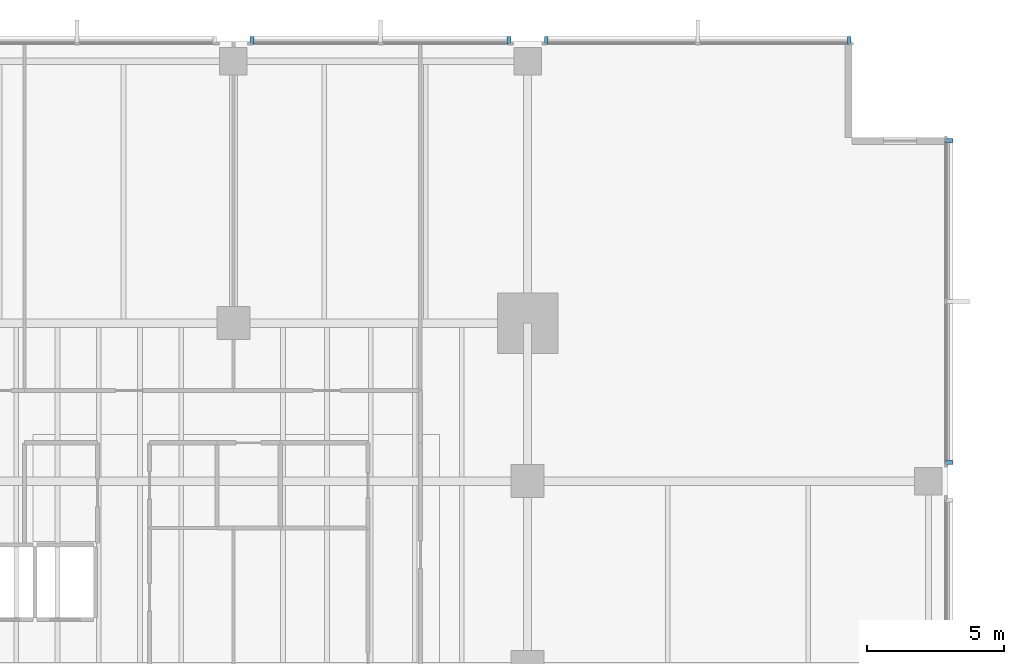
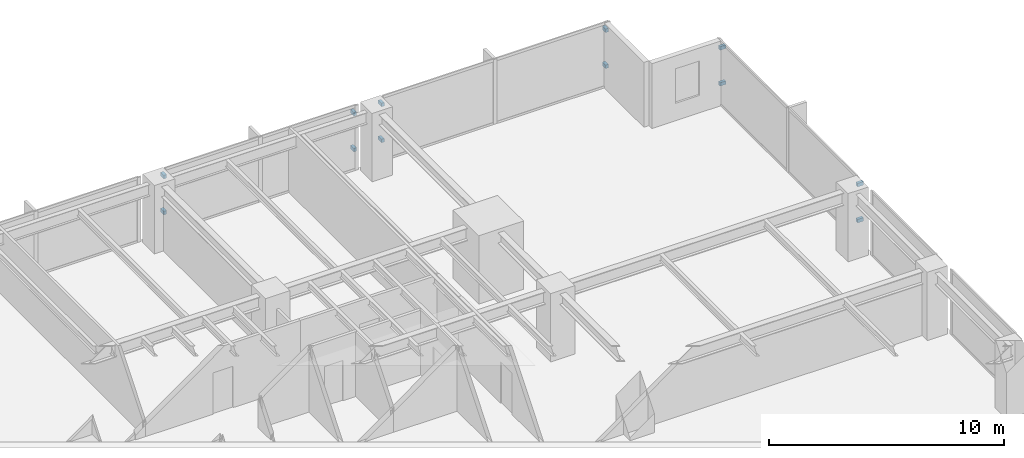
# One storey, part 11 of 15: 12 discrete accessories.
"""IFC4 building model written with IfcOpenShell, lengths in metres."""

from ifc_helpers import new_model, si_unit, direction, frame, origin, origin_2d, place, context, subcontext, project, spatial, rectangle, extrude, material, type_object, element, save


model = new_model("IFC4")

# Units and contexts
model_context = context("Model", 3, precision=1e-05, world=origin(), true_north=direction((0.0, 1.0)))
body_context = subcontext(model_context, "Body", "Model", "MODEL_VIEW")
ifc_project = project(units=[si_unit("LENGTHUNIT", "METRE"), si_unit("AREAUNIT", "SQUARE_METRE"), si_unit("VOLUMEUNIT", "CUBIC_METRE"), si_unit("PLANEANGLEUNIT", "RADIAN"), si_unit("MASSUNIT", "GRAM", prefix="KILO")], contexts=[model_context])

# Site, building, storey
site_placement = place(None, origin())
site = spatial("IfcSite", under=ifc_project, at=site_placement, CompositionType="ELEMENT")
building_placement = place(site_placement, origin())
building = spatial("IfcBuilding", under=site, at=building_placement, Name="Kinhvarn Gate Tower", CompositionType="ELEMENT")
storey_placement = place(building_placement, frame((0.0, 0.0, 43.35009765625)))
storey = spatial("IfcBuildingStorey", under=building, at=storey_placement, Name="L10", CompositionType="ELEMENT", Elevation=43.35009765625)

# Discrete accessories
ifc_material = material(Name="Anodised aluminium AW-6063", Category="aluminium")
discrete_accessory_type = type_object("IfcDiscreteAccessoryType", Name="ACC-BRK-01", PredefinedType="BRACKET", material=ifc_material)
for number, where, z_axis, x_axis, name in (
    (1, (49.89990234375, 48.0400390625, 0.9599609375), (0.0, 0.0, 1.0), (-1.0, 0.0, 0.0), "Baguette Support Bracket BK-01 (L10)"),
    (2, (49.89990234375, 48.0400390625, 2.830078125), (0.0, 0.0, 1.0), (-1.0, 0.0, 0.0), "Baguette Support Bracket BK-01 (L10)"),
    (3, (38.8798828125, 48.0400390625, 0.9599609375), (0.0, 0.0, 1.0), (-1.0, 0.0, 0.0), "Baguette Support Bracket BK-01 (L10)"),
    (4, (38.8798828125, 48.0400390625, 2.830078125), (0.0, 0.0, 1.0), (-1.0, 0.0, 0.0), "Baguette Support Bracket BK-01 (L10)"),
    (5, (37.52001953125, 48.0400390625, 0.9599609375), (0.0, 0.0, 1.0), (-1.0, 0.0, 0.0), "Baguette Support Bracket BK-01 (L10)"),
    (6, (37.52001953125, 48.0400390625, 2.830078125), (0.0, 0.0, 1.0), (-1.0, 0.0, 0.0), "Baguette Support Bracket BK-01 (L10)"),
    (7, (28.179931640625, 48.0400390625, 0.9599609375), (0.0, 0.0, 1.0), (-1.0, 0.0, 0.0), "Baguette Support Bracket BK-01 (L10)"),
    (8, (28.179931640625, 48.0400390625, 2.830078125), (0.0, 0.0, 1.0), (-1.0, 0.0, 0.0), "Baguette Support Bracket BK-01 (L10)"),
    (9, (53.5400390625, 32.679931640625, 0.9599609375), (0.0, 0.0, 1.0), (0.0, 1.0, 0.0), "Baguette Support Bracket BK-01 (L10)"),
    (10, (53.5400390625, 32.679931640625, 2.830078125), (0.0, 0.0, 1.0), (0.0, 1.0, 0.0), "Baguette Support Bracket BK-01 (L10)"),
    (11, (53.5400390625, 44.39990234375, 0.9599609375), (0.0, 0.0, 1.0), (0.0, 1.0, 0.0), "Baguette Support Bracket BK-01 (L10)"),
    (12, (53.5400390625, 44.39990234375, 2.830078125), (0.0, 0.0, 1.0), (0.0, 1.0, 0.0), "Baguette Support Bracket BK-01 (L10)"),
):
    element("IfcDiscreteAccessory", number, at=place(storey_placement, frame(where, z_axis=z_axis, x_axis=x_axis)), inside=storey, type_object=discrete_accessory_type, Name=name, PredefinedType="BRACKET", context=body_context, shape_type="SweptSolid", body=[
        extrude(rectangle(XDim=0.139892578125, YDim=0.280029296875, at=origin_2d()), origin(), (0.0, 0.0, 1.0), 0.179931640625),
    ])

save(model, "model.ifc")
